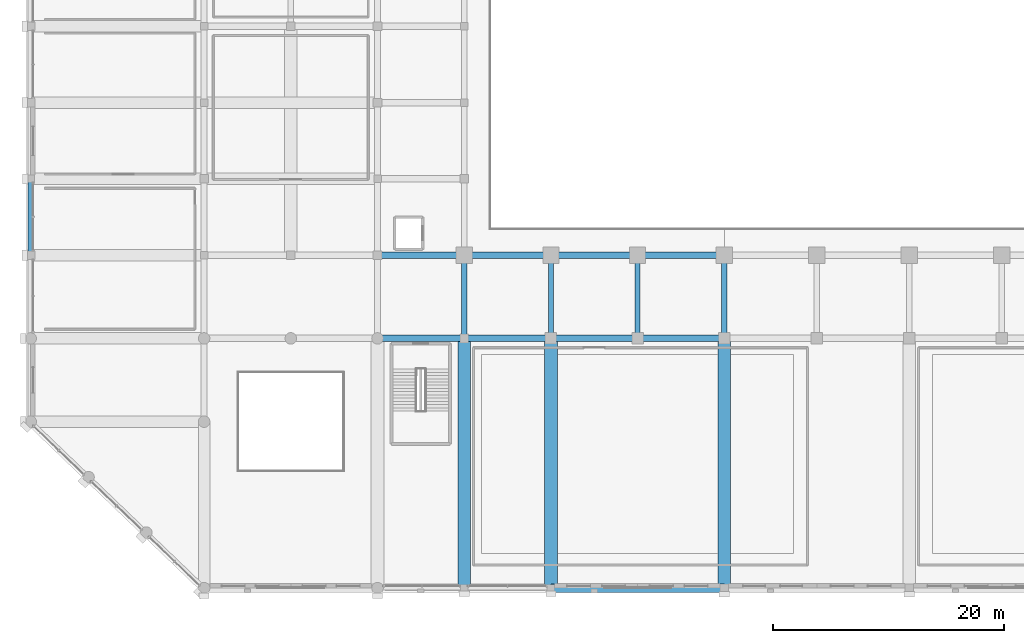
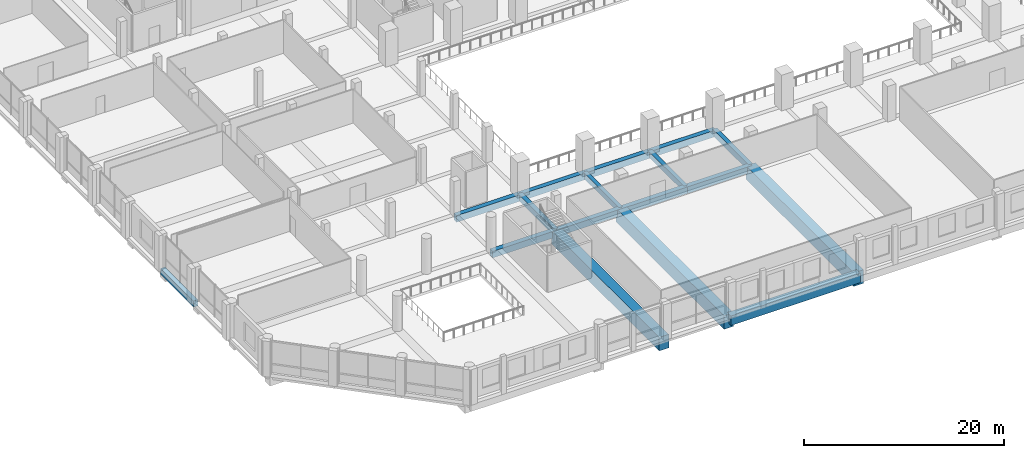
# One storey, part 14 of 64: 17 beams.
"""IFC4 building model written with IfcOpenShell, lengths in metres."""

from ifc_helpers import new_model, si_unit, direction, frame, origin, origin_2d, place, context, subcontext, project, spatial, rectangle, extrude, material, material_profile, profile_set, type_object, element, save


model = new_model("IFC4")

# Units and contexts
model_context = context("Model", 3, precision=1e-05, world=origin(), true_north=direction((0.0, 1.0)))
body_context = subcontext(model_context, "Body", "Model", "MODEL_VIEW")
ifc_project = project(units=[si_unit("LENGTHUNIT", "METRE"), si_unit("AREAUNIT", "SQUARE_METRE"), si_unit("VOLUMEUNIT", "CUBIC_METRE"), si_unit("PLANEANGLEUNIT", "RADIAN"), si_unit("MASSUNIT", "GRAM", prefix="KILO")], contexts=[model_context])

# Site, building, storey
site_placement = place(None, origin())
site = spatial("IfcSite", under=ifc_project, at=site_placement, CompositionType="ELEMENT")
building_placement = place(site_placement, origin())
building = spatial("IfcBuilding", under=site, at=building_placement, Name="Akrevak Sports Hall", CompositionType="ELEMENT")
storey_placement = place(building_placement, frame((0.0, 0.0, 4.60009765625)))
storey = spatial("IfcBuildingStorey", under=building, at=storey_placement, Name="L01", CompositionType="ELEMENT", Elevation=4.60009765625)

# Beams
ifc_material_1 = material(Name="Concrete C50/60", Category="concrete")
ifc_material_profile_1 = material_profile(ifc_material_1, rectangle(XDim=1.10009765625, YDim=1.64990234375, at=origin_2d()), Name="BM 1100x1650", Category="concrete")
ifc_profile_set_1 = profile_set([ifc_material_profile_1], Name="Concrete C50/60")
beam_type_1 = type_object("IfcBeamType", Name="STR-BM-LG1100x1650", PredefinedType="BEAM", material=ifc_profile_set_1)
for number, where, z_axis, x_axis, name in (
    (1, (37.5, 0.0, -0.8251953125), (0.0, 1.0, 0.0), (-1.0, 0.0, 0.0), "Girder 6/A-D (L01)"),
    (2, (45.0, 0.0, -0.8251953125), (0.0, 1.0, 0.0), (-1.0, 0.0, 0.0), "Girder 7/A-D (L01)"),
    (3, (60.0, 0.0, -0.8251953125), (0.0, 1.0, 0.0), (-1.0, 0.0, 0.0), "Girder 9/A-D (L01)"),
):
    element("IfcBeam", number, at=place(storey_placement, frame(where, z_axis=z_axis, x_axis=x_axis)), inside=storey, type_object=beam_type_1, Name=name, PredefinedType="BEAM", context=body_context, shape_type="SweptSolid", body=[
        extrude(rectangle(XDim=1.10009765625, YDim=1.64990234375, at=origin_2d()), origin(), (0.0, 0.0, 1.0), 21.60009765625),
    ])
ifc_material_2 = material(Name="Concrete C40/50", Category="concrete")
ifc_material_profile_2 = material_profile(ifc_material_2, rectangle(XDim=0.5, YDim=0.75, at=origin_2d()), Name="BM 500x750", Category="concrete")
ifc_profile_set_2 = profile_set([ifc_material_profile_2], Name="Concrete C40/50")
beam_type_2 = type_object("IfcBeamType", Name="STR-BM-RC500x750", PredefinedType="BEAM", material=ifc_profile_set_2)
beam_1_placement = place(storey_placement, frame((0.0, 28.800048828125, -0.375), z_axis=(0.0, 1.0, 0.0), x_axis=(-1.0, 0.0, 0.0)))
element("IfcBeam", 4, at=beam_1_placement, inside=storey, type_object=beam_type_2, Name="Girder 1/E-F (L01)", PredefinedType="BEAM", context=body_context, shape_type="SweptSolid", body=[
    extrude(rectangle(XDim=0.5, YDim=0.75, at=origin_2d()), origin(), (0.0, 0.0, 1.0), 6.599853515625),
])
for number, where, z_axis, x_axis, name in (
    (5, (37.5, 21.60009765625, -0.375), (0.0, 1.0, 0.0), (-1.0, 0.0, 0.0), "Girder 6/D-E (L01)"),
    (6, (60.0, 21.60009765625, -0.375), (0.0, 1.0, 0.0), (-1.0, 0.0, 0.0), "Girder 9/D-E (L01)"),
):
    element("IfcBeam", number, at=place(storey_placement, frame(where, z_axis=z_axis, x_axis=x_axis)), inside=storey, type_object=beam_type_2, Name=name, PredefinedType="BEAM", context=body_context, shape_type="SweptSolid", body=[
        extrude(rectangle(XDim=0.5, YDim=0.75, at=origin_2d()), origin(), (0.0, 0.0, 1.0), 7.199951171875),
    ])
ifc_material_profile_3 = material_profile(ifc_material_2, rectangle(XDim=0.550048828125, YDim=0.800048828125, at=origin_2d()), Name="BM 550x800", Category="concrete")
ifc_profile_set_3 = profile_set([ifc_material_profile_3], Name="Concrete C40/50")
beam_type_3 = type_object("IfcBeamType", Name="STR-BM-RC550x800", PredefinedType="BEAM", material=ifc_profile_set_3)
for number, where, z_axis, x_axis, name in (
    (7, (30.0, 21.60009765625, -0.400146484375), (1.0, 0.0, 0.0), (0.0, 1.0, 0.0), "Girder D/5-6 (L01)"),
    (8, (37.5, 21.60009765625, -0.400146484375), (1.0, 0.0, 0.0), (0.0, 1.0, 0.0), "Girder D/6-7 (L01)"),
    (9, (45.0, 21.60009765625, -0.400146484375), (1.0, 0.0, 0.0), (0.0, 1.0, 0.0), "Girder D/7-8 (L01)"),
    (10, (52.5, 21.60009765625, -0.400146484375), (1.0, 0.0, 0.0), (0.0, 1.0, 0.0), "Girder D/8-9 (L01)"),
    (11, (30.0, 28.800048828125, -0.400146484375), (1.0, 0.0, 0.0), (0.0, 1.0, 0.0), "Girder E/5-6 (L01)"),
    (12, (37.5, 28.800048828125, -0.400146484375), (1.0, 0.0, 0.0), (0.0, 1.0, 0.0), "Girder E/6-7 (L01)"),
    (13, (45.0, 28.800048828125, -0.400146484375), (1.0, 0.0, 0.0), (0.0, 1.0, 0.0), "Girder E/7-8 (L01)"),
    (14, (52.5, 28.800048828125, -0.400146484375), (1.0, 0.0, 0.0), (0.0, 1.0, 0.0), "Girder E/8-9 (L01)"),
):
    element("IfcBeam", number, at=place(storey_placement, frame(where, z_axis=z_axis, x_axis=x_axis)), inside=storey, type_object=beam_type_3, Name=name, PredefinedType="BEAM", context=body_context, shape_type="SweptSolid", body=[
        extrude(rectangle(XDim=0.550048828125, YDim=0.800048828125, at=origin_2d()), origin(), (0.0, 0.0, 1.0), 7.5),
    ])
ifc_material_profile_4 = material_profile(ifc_material_2, rectangle(XDim=0.449951171875, YDim=0.679931640625, at=origin_2d()), Name="RKR 450x680", Category="concrete")
ifc_profile_set_4 = profile_set([ifc_material_profile_4], Name="Concrete C40/50")
beam_type_4 = type_object("IfcBeamType", Name="STR-RKR-RC450x680", PredefinedType="BEAM", material=ifc_profile_set_4)
for number, where, z_axis, x_axis, name in (
    (15, (45.0, 21.60009765625, -0.340087890625), (0.0, 1.0, 0.0), (-1.0, 0.0, 0.0), "Spectator Stand Raker Girder RK-1"),
    (16, (52.5, 21.60009765625, -0.340087890625), (0.0, 1.0, 0.0), (-1.0, 0.0, 0.0), "Spectator Stand Raker Girder RK-2"),
):
    element("IfcBeam", number, at=place(storey_placement, frame(where, z_axis=z_axis, x_axis=x_axis)), inside=storey, type_object=beam_type_4, Name=name, PredefinedType="BEAM", context=body_context, shape_type="SweptSolid", body=[
        extrude(rectangle(XDim=0.449951171875, YDim=0.679931640625, at=origin_2d()), origin(), (0.0, 0.0, 1.0), 7.199951171875),
    ])
ifc_material_profile_5 = material_profile(ifc_material_1, rectangle(XDim=0.75, YDim=1.14990234375, at=origin_2d()), Name="SPD 750x1150", Category="concrete")
ifc_profile_set_5 = profile_set([ifc_material_profile_5], Name="Concrete C50/60")
beam_type_5 = type_object("IfcBeamType", Name="STR-SPD-LSP750x1150", PredefinedType="SPANDREL", material=ifc_profile_set_5)
beam_2_placement = place(storey_placement, frame((45.0, 0.0, -0.5751953125), z_axis=(1.0, 0.0, 0.0), x_axis=(0.0, 1.0, 0.0)))
element("IfcBeam", 17, at=beam_2_placement, inside=storey, type_object=beam_type_5, Name="Girder A/7-9 (L01)", PredefinedType="SPANDREL", context=body_context, shape_type="SweptSolid", body=[
    extrude(rectangle(XDim=0.75, YDim=1.14990234375, at=origin_2d()), origin(), (0.0, 0.0, 1.0), 15.0),
])

save(model, "model.ifc")
